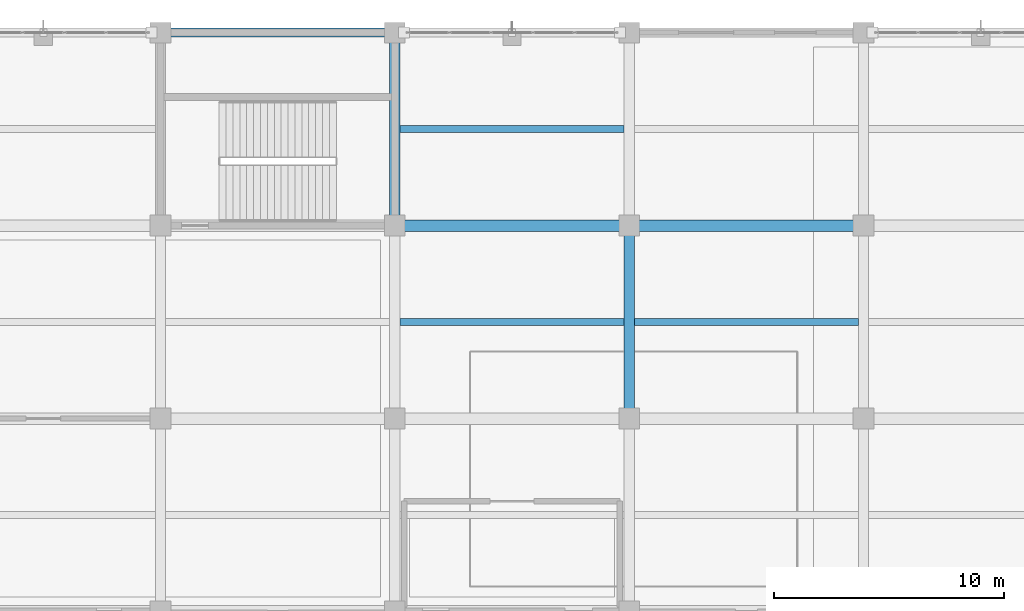
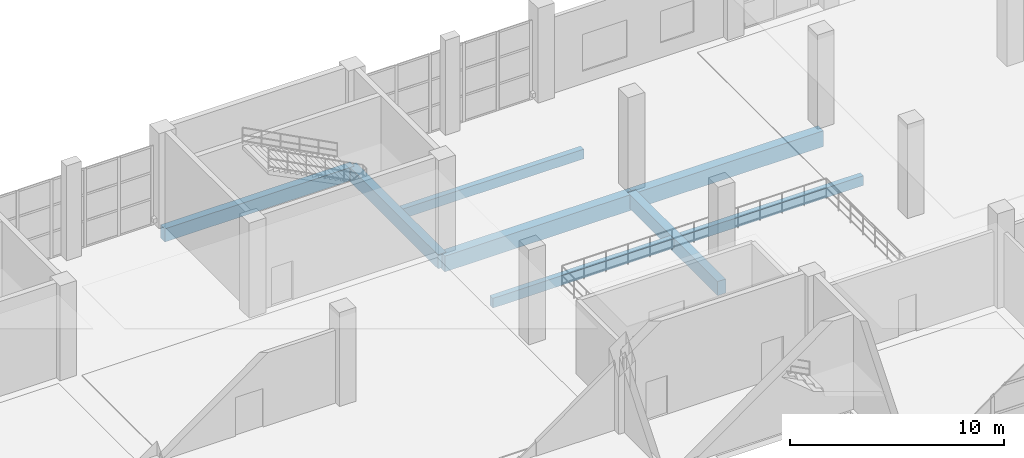
# One storey, part 87 of 175: 8 beams.
"""IFC4 building model written with IfcOpenShell, lengths in metres."""

import ifcopenshell
import ifcopenshell.guid

model = None  # the IFC model being written
_history = None  # IfcOwnerHistory: only IFC2X3 demands one
_inside = {}  # id of a spatial element -> (the spatial element, [elements in it])
_under = {}  # id of a project, library or spatial element -> (it, [spatial elements below it])
_declared = {}  # id of a project -> (the project, [libraries it declares])
_typed = {}  # id of a type object -> (the type object, [elements of that type])
_made_of = {}  # id of a material, layer set ... -> (it, [elements and type objects made of it])


def new_model(schema):
    """Start an empty IFC model of exactly this schema.

    Asked for "IFC4X3", IfcOpenShell would pick the latest addendum, in which some entities
    have other attributes; the version numbers below select the first issue.
    IFC2X3 requires an IfcOwnerHistory on every rooted entity: one is made here for all.
    """
    global model, _history
    if schema == "IFC4X3":
        model = ifcopenshell.file(schema_version=(4, 3, 0, 0))
    else:
        model = ifcopenshell.file(schema=schema)
    _inside.clear()
    _under.clear()
    _declared.clear()
    _typed.clear()
    _made_of.clear()
    _history = None
    if model.schema == "IFC2X3":
        org = make("IfcOrganization", Name="unknown")
        user = make(
            "IfcPersonAndOrganization",
            ThePerson=make("IfcPerson", FamilyName="unknown"),
            TheOrganization=org,
        )
        app = make(
            "IfcApplication",
            ApplicationDeveloper=org,
            Version="unknown",
            ApplicationFullName="unknown",
            ApplicationIdentifier="unknown",
        )
        _history = make(
            "IfcOwnerHistory",
            OwningUser=user,
            OwningApplication=app,
            ChangeAction="ADDED",
            CreationDate=0,
        )
    return model


def make(cls, **values):
    """One entity of the class cls with the attributes given. An attribute that is None is left unset."""
    return model.create_entity(
        cls, **{name: value for name, value in values.items() if value is not None}
    )


def rooted(cls, **values):
    """An entity with a GlobalId (a new one), such as an element, a storey or a relation."""
    return make(cls, GlobalId=ifcopenshell.guid.new(), OwnerHistory=_history, **values)


def si_unit(unit_type, name, prefix=None):
    """IfcSIUnit, for example si_unit("LENGTHUNIT", "METRE", prefix="MILLI")."""
    return make("IfcSIUnit", UnitType=unit_type, Prefix=prefix, Name=name)


def assignment(units):
    """IfcUnitAssignment: the units of a project."""
    return None if units is None else make("IfcUnitAssignment", Units=units)


def point(xyz):
    """IfcCartesianPoint."""
    return None if xyz is None else make("IfcCartesianPoint", Coordinates=xyz)


def direction(xyz):
    """IfcDirection."""
    return None if xyz is None else make("IfcDirection", DirectionRatios=xyz)


def frame(location, z_axis=None, x_axis=None):
    """IfcAxis2Placement3D, a coordinate frame: its origin and axes. An axis left out is left unset."""
    return make(
        "IfcAxis2Placement3D",
        Location=point(location),
        Axis=direction(z_axis),
        RefDirection=direction(x_axis),
    )


def frame_2d(location, x_axis=None):
    """IfcAxis2Placement2D, a coordinate frame in the plane: its origin and x axis."""
    return make(
        "IfcAxis2Placement2D", Location=point(location), RefDirection=direction(x_axis)
    )


def origin():
    """The frame at (0, 0, 0) with its axes left unset."""
    return frame((0.0, 0.0, 0.0))


def origin_2d():
    """The frame at (0, 0) in the plane with its x axis left unset."""
    return frame_2d((0.0, 0.0))


def place(relative_to, where):
    """IfcLocalPlacement: puts the frame where relative to a parent placement (None: the world)."""
    return make(
        "IfcLocalPlacement", PlacementRelTo=relative_to, RelativePlacement=where
    )


def context(
    kind, dimensions, precision=None, world=None, true_north=None, identifier=None
):
    """IfcGeometricRepresentationContext, for example the 3D "Model" context."""
    return make(
        "IfcGeometricRepresentationContext",
        ContextIdentifier=identifier,
        ContextType=kind,
        CoordinateSpaceDimension=dimensions,
        Precision=precision,
        WorldCoordinateSystem=world,
        TrueNorth=true_north,
    )


def subcontext(parent, identifier, kind, view, scale=None):
    """IfcGeometricRepresentationSubContext, for example "Body" below "Model"."""
    return make(
        "IfcGeometricRepresentationSubContext",
        ContextIdentifier=identifier,
        ContextType=kind,
        ParentContext=parent,
        TargetScale=scale,
        TargetView=view,
    )


def project(units=None, contexts=None):
    """IfcProject with its units and contexts."""
    return rooted(
        "IfcProject",
        Name="project",
        RepresentationContexts=contexts,
        UnitsInContext=assignment(units),
    )


def spatial(cls, under=None, at=None, **own):
    """A site, building, storey or space (cls), placed at a placement, below another one or the project."""
    s = rooted(cls, ObjectPlacement=at, **own)
    if under is not None:
        _under.setdefault(under.id(), (under, []))[1].append(s)
    return s


def profile(cls, at=None, kind="AREA", **sizes):
    """A parametric profile (cls). Its sizes go by their IFC names, for example OverallWidth=200.0."""
    return make(cls, ProfileType=kind, Position=at, **sizes)


def rectangle(**sizes):
    """IfcRectangleProfileDef."""
    return profile("IfcRectangleProfileDef", **sizes)


def extrude(swept, where, along, depth):
    """IfcExtrudedAreaSolid: the profile swept, set in the frame where, extruded along a direction by depth."""
    return make(
        "IfcExtrudedAreaSolid",
        SweptArea=swept,
        Position=where,
        ExtrudedDirection=direction(along),
        Depth=depth,
    )


def shape(context_of_items, identifier, shape_type, items):
    """IfcShapeRepresentation: the items that make up one representation, for example the "Body"."""
    return make(
        "IfcShapeRepresentation",
        ContextOfItems=context_of_items,
        RepresentationIdentifier=identifier,
        RepresentationType=shape_type,
        Items=items,
    )


def material(Name=None, Category=None):
    """IfcMaterial."""
    return make("IfcMaterial", Name=Name, Category=Category)


def material_profile(
    of_material, cross_section, Name=None, Category=None, Priority=None
):
    """IfcMaterialProfile: a cross section and its material."""
    return make(
        "IfcMaterialProfile",
        Name=Name,
        Material=of_material,
        Profile=cross_section,
        Priority=Priority,
        Category=Category,
    )


def profile_set(profiles, Name=None, composite=None):
    """IfcMaterialProfileSet."""
    return make(
        "IfcMaterialProfileSet",
        Name=Name,
        MaterialProfiles=profiles,
        CompositeProfile=composite,
    )


def made_of(thing, what):
    """Note that an element or type object is made of a material, layer set ...; save() writes the relation."""
    if what is not None:
        _made_of.setdefault(what.id(), (what, []))[1].append(thing)
    return thing


def type_object(cls, material=None, **own):
    """A type object (cls), such as IfcWallType, which elements share."""
    return made_of(rooted(cls, **own), material)


def element(
    cls,
    number,
    at=None,
    inside=None,
    cuts=None,
    type_object=None,
    material=None,
    context=None,
    identifier="Body",
    shape_type=None,
    held_by="IfcProductDefinitionShape",
    body=None,
    shapes=None,
    **own,
):
    """One element of the class cls, such as IfcWall. Its Tag is "e" and its number.

    at: its placement. inside: the storey or other place that contains it. cuts: it is an
    opening in that element (IfcRelVoidsElement). A single representation is given by context,
    identifier, shape_type and body (its items); several are given by shapes. held_by: the class
    of the entity that holds the representations. save() writes the other relations.
    """
    e = rooted(cls, Tag="e%d" % number, ObjectPlacement=at, **own)
    if body is not None:
        shapes = [shape(context, identifier, shape_type, body)]
    if shapes is not None:
        e.Representation = make(held_by, Representations=shapes)
    if inside is not None:
        _inside.setdefault(inside.id(), (inside, []))[1].append(e)
    if cuts is not None:
        rooted(
            "IfcRelVoidsElement", RelatingBuildingElement=cuts, RelatedOpeningElement=e
        )
    if type_object is not None:
        _typed.setdefault(type_object.id(), (type_object, []))[1].append(e)
    return made_of(e, material)


def aggregate(whole, parts):
    """IfcRelAggregates: a whole, such as a stair, and the parts it consists of."""
    return rooted("IfcRelAggregates", RelatingObject=whole, RelatedObjects=parts)


def save(model, path):
    """Write the relations noted so far, then the file.

    IfcRelAggregates (storeys below a building ...), IfcRelContainedInSpatialStructure (elements
    in a storey), IfcRelDefinesByType, IfcRelAssociatesMaterial and IfcRelDeclares: one each for
    every whole, place, type object, material and project.
    """
    for whole, parts in _under.values():
        aggregate(whole, parts)
    for where, things in _inside.values():
        rooted(
            "IfcRelContainedInSpatialStructure",
            RelatedElements=things,
            RelatingStructure=where,
        )
    for kind, things in _typed.values():
        rooted("IfcRelDefinesByType", RelatedObjects=things, RelatingType=kind)
    for what, things in _made_of.values():
        rooted("IfcRelAssociatesMaterial", RelatedObjects=things, RelatingMaterial=what)
    for by, libraries in _declared.values():
        rooted("IfcRelDeclares", RelatingContext=by, RelatedDefinitions=libraries)
    model.write(path)


model = new_model("IFC4")

# Units and contexts
model_context = context("Model", 3, precision=1e-05, world=origin(), true_north=direction((0.0, 1.0)))
body_context = subcontext(model_context, "Body", "Model", "MODEL_VIEW")
ifc_project = project(units=[si_unit("LENGTHUNIT", "METRE"), si_unit("AREAUNIT", "SQUARE_METRE"), si_unit("VOLUMEUNIT", "CUBIC_METRE"), si_unit("PLANEANGLEUNIT", "RADIAN"), si_unit("MASSUNIT", "GRAM", prefix="KILO")], contexts=[model_context])

# Site, building, storey
site_placement = place(None, origin())
site = spatial("IfcSite", under=ifc_project, at=site_placement, CompositionType="ELEMENT")
building_placement = place(site_placement, origin())
building = spatial("IfcBuilding", under=site, at=building_placement, Name="Brelvane Convention Centre", CompositionType="ELEMENT")
storey_placement = place(building_placement, frame((0.0, 0.0, 5.39990234375)))
storey = spatial("IfcBuildingStorey", under=building, at=storey_placement, Name="L01", CompositionType="ELEMENT", Elevation=5.39990234375)

# Beams
ifc_material_1 = material(Name="Concrete M40", Category="concrete")
ifc_material_profile_1 = material_profile(ifc_material_1, rectangle(XDim=0.5, YDim=0.89990234375, at=origin_2d()), Name="RC 500x900")
ifc_profile_set_1 = profile_set([ifc_material_profile_1], Name="Concrete M40")
beam_type_1 = type_object("IfcBeamType", Name="RC Beam B-RC4 (RC 500x900)", PredefinedType="BEAM", material=ifc_profile_set_1)
for number, where, z_axis, x_axis, name in (
    (1, (30.60009765625, 135.60009765625, -0.77001953125), (1.0, 0.0, 0.0), (0.0, 1.0, 0.0), "L01 Beam 4-5/P"),
    (2, (40.800048828125, 135.60009765625, -0.77001953125), (1.0, 0.0, 0.0), (0.0, 1.0, 0.0), "L01 Beam 5-6/P"),
):
    element("IfcBeam", number, at=place(storey_placement, frame(where, z_axis=z_axis, x_axis=x_axis)), inside=storey, type_object=beam_type_1, Name=name, PredefinedType="BEAM", context=body_context, shape_type="SweptSolid", body=[
        extrude(rectangle(XDim=0.5, YDim=0.89990234375, at=origin_2d()), origin(), (0.0, 0.0, 1.0), 10.199951171875),
    ])
ifc_material_2 = material(Name="Concrete M40", Category="concrete")
ifc_material_profile_2 = material_profile(ifc_material_2, rectangle(XDim=0.449951171875, YDim=0.800048828125, at=origin_2d()), Name="RC 450x800")
ifc_profile_set_2 = profile_set([ifc_material_profile_2], Name="Concrete M40")
beam_type_2 = type_object("IfcBeamType", Name="RC Beam B-RC5 (RC 450x800)", PredefinedType="BEAM", material=ifc_profile_set_2)
beam_1_placement = place(storey_placement, frame((30.60009765625, 135.60009765625, -0.719970703125), z_axis=(0.0, 1.0, 0.0), x_axis=(-1.0, 0.0, 0.0)))
element("IfcBeam", 3, at=beam_1_placement, inside=storey, type_object=beam_type_2, Name="L01 Girder 4/P-Q", PredefinedType="BEAM", context=body_context, shape_type="SweptSolid", body=[
    extrude(rectangle(XDim=0.449951171875, YDim=0.800048828125, at=origin_2d()), origin(), (0.0, 0.0, 1.0), 8.39990234375),
])
beam_2_placement = place(storey_placement, frame((40.800048828125, 127.199951171875, -0.719970703125), z_axis=(0.0, 1.0, 0.0), x_axis=(-1.0, 0.0, 0.0)))
element("IfcBeam", 4, at=beam_2_placement, inside=storey, type_object=beam_type_2, Name="L01 Girder 5/N-P", PredefinedType="BEAM", context=body_context, shape_type="SweptSolid", body=[
    extrude(rectangle(XDim=0.449951171875, YDim=0.800048828125, at=origin_2d()), origin(), (0.0, 0.0, 1.0), 8.400146484375),
])
ifc_material_3 = material(Name="Concrete M40", Category="concrete")
ifc_material_profile_3 = material_profile(ifc_material_3, rectangle(XDim=0.300048828125, YDim=0.550048828125, at=origin_2d()), Name="RC 300x550")
ifc_profile_set_3 = profile_set([ifc_material_profile_3], Name="Concrete M40")
beam_type_3 = type_object("IfcBeamType", Name="RC Joist J-RC1 (RC 300x550)", PredefinedType="JOIST", material=ifc_profile_set_3)
for number, where, z_axis, x_axis, name in (
    (5, (30.824951171875, 131.39990234375, -0.594970703125), (1.0, 0.0, 0.0), (0.0, 1.0, 0.0), "L01 Secondary Joist 4-5/NP"),
    (6, (30.824951171875, 139.800048828125, -0.594970703125), (1.0, 0.0, 0.0), (0.0, 1.0, 0.0), "L01 Secondary Joist 4-5/PQ"),
    (7, (41.02490234375, 131.39990234375, -0.594970703125), (1.0, 0.0, 0.0), (0.0, 1.0, 0.0), "L01 Secondary Joist 5-6/NP"),
):
    element("IfcBeam", number, at=place(storey_placement, frame(where, z_axis=z_axis, x_axis=x_axis)), inside=storey, type_object=beam_type_3, Name=name, PredefinedType="JOIST", context=body_context, shape_type="SweptSolid", body=[
        extrude(rectangle(XDim=0.300048828125, YDim=0.550048828125, at=origin_2d()), origin(), (0.0, 0.0, 1.0), 9.75),
    ])
ifc_material_4 = material(Name="Concrete M40", Category="concrete")
ifc_material_profile_4 = material_profile(ifc_material_4, rectangle(XDim=0.39990234375, YDim=0.75, at=origin_2d()), Name="RC 400x750")
ifc_profile_set_4 = profile_set([ifc_material_profile_4], Name="Concrete M40")
beam_type_4 = type_object("IfcBeamType", Name="RC Spandrel SP-RC1 (RC 400x750)", PredefinedType="SPANDREL", material=ifc_profile_set_4)
beam_3_placement = place(storey_placement, frame((20.39990234375, 144.0, -0.69482421875), z_axis=(1.0, 0.0, 0.0), x_axis=(0.0, 1.0, 0.0)))
element("IfcBeam", 8, at=beam_3_placement, inside=storey, type_object=beam_type_4, Name="L01 Beam 3-4/Q", PredefinedType="SPANDREL", context=body_context, shape_type="SweptSolid", body=[
    extrude(rectangle(XDim=0.39990234375, YDim=0.75, at=origin_2d()), origin(), (0.0, 0.0, 1.0), 10.2001953125),
])

save(model, "model.ifc")
